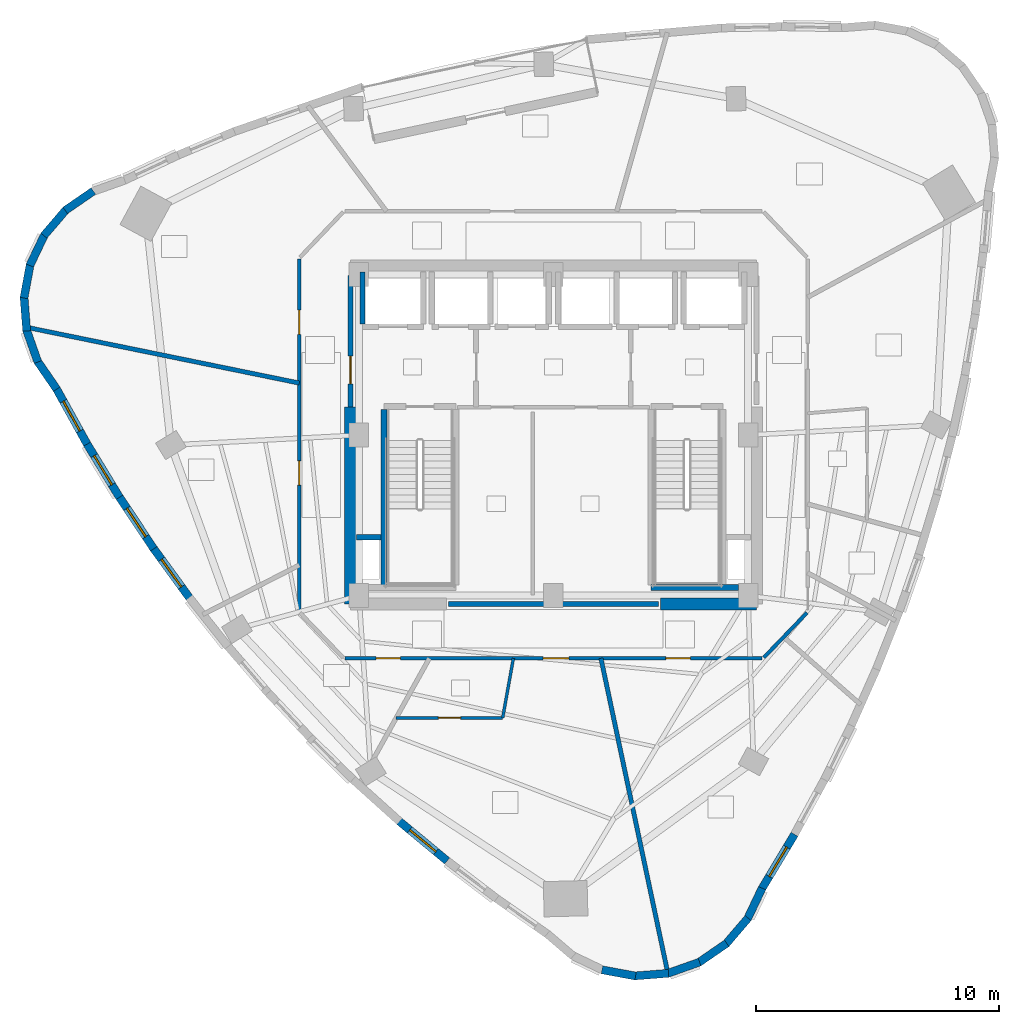
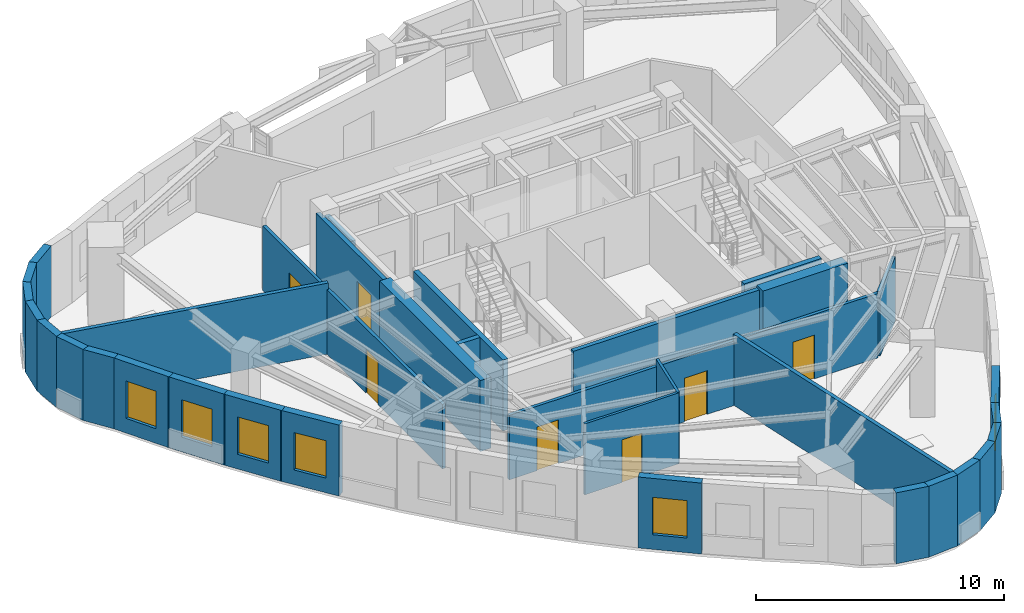
# One storey, part 4 of 10: 34 walls, 7 doors, 6 windows, 13 openings.
"""IFC4 building model written with IfcOpenShell, lengths in metres."""

from ifc_helpers import new_model, si_unit, direction, frame, frame_2d, origin, place, context, subcontext, project, spatial, rectangle, extrude, material, layer, layer_set, type_object, element, fill, save


model = new_model("IFC4")

# Units and contexts
model_context = context("Model", 3, precision=1e-05, world=origin(), true_north=direction((0.0, 1.0)))
body_context = subcontext(model_context, "Body", "Model", "MODEL_VIEW")
ifc_project = project(units=[si_unit("LENGTHUNIT", "METRE"), si_unit("AREAUNIT", "SQUARE_METRE"), si_unit("VOLUMEUNIT", "CUBIC_METRE"), si_unit("PLANEANGLEUNIT", "RADIAN"), si_unit("MASSUNIT", "GRAM", prefix="KILO")], contexts=[model_context])

# Site, building, storey
site_placement = place(None, origin())
site = spatial("IfcSite", under=ifc_project, at=site_placement, CompositionType="ELEMENT")
building_placement = place(site_placement, origin())
building = spatial("IfcBuilding", under=site, at=building_placement, Name="Ndelora Gate Hotel", CompositionType="ELEMENT")
storey_placement = place(building_placement, frame((0.0, 0.0, 251.14990234375)))
storey = spatial("IfcBuildingStorey", under=building, at=storey_placement, Name="L63", CompositionType="ELEMENT", Elevation=251.14990234375)

# Walls
ifc_material_1 = material(Name="Acoustic Double-Stud Gypsum Assembly", Category="gypsum")
ifc_layer_1 = layer(ifc_material_1, 0.179931640625)
ifc_layer_set_1 = layer_set([ifc_layer_1], Name="Acoustic Double-Stud Gypsum Assembly")
wall_type_1 = type_object("IfcWallType", Name="WL-ACOUST-180", PredefinedType="PARTITIONING", material=ifc_layer_set_1)
wall_1_placement = place(storey_placement, frame((-10.449951171875, 2.136962890625, 0.0), z_axis=(0.0, 0.0, 1.0), x_axis=(-0.979726343825, 0.200340438291, 0.0)))
element("IfcWall", 1, at=wall_1_placement, inside=storey, type_object=wall_type_1, Name="L63 Interior Wall IW-3", PredefinedType="PARTITIONING", context=body_context, shape_type="SweptSolid", body=[
    extrude(rectangle(XDim=11.453857421875, YDim=0.179931640625, at=frame_2d((5.72705078125, 0.0))), origin(), (0.0, 0.0, 1.0), 3.489990234375),
])
wall_2_placement = place(storey_placement, frame((1.951416015625, -9.179931640625, 0.0), z_axis=(0.0, 0.0, 1.0), x_axis=(0.20789337158, -0.978151494429, 0.0)))
element("IfcWall", 2, at=wall_2_placement, inside=storey, type_object=wall_type_1, Name="L63 Interior Wall IW-3", PredefinedType="PARTITIONING", context=body_context, shape_type="SweptSolid", body=[
    extrude(rectangle(XDim=13.2431640625, YDim=0.179931640625, at=frame_2d((6.62158203125, 0.0))), origin(), (0.0, 0.0, 1.0), 3.489990234375),
])
ifc_material_2 = material(Name="Clay Brick Masonry", Category="masonry")
ifc_layer_2 = layer(ifc_material_2, 0.330078125)
ifc_layer_set_2 = layer_set([ifc_layer_2], Name="Clay Brick Masonry")
wall_type_2 = type_object("IfcWallType", Name="WL-BRICK-330", PredefinedType="SOLIDWALL", material=ifc_layer_set_2)
wall_3_placement = place(storey_placement, frame((-20.075439453125, 9.23583984375, 0.0), z_axis=(0.0, 0.0, 1.0), x_axis=(0.824122878834, 0.566411052666, 0.0)))
element("IfcWall", 3, at=wall_3_placement, inside=storey, type_object=wall_type_2, Name="L63 Tower Brick Pier-and-Spandrel Wall TWR-2", PredefinedType="SOLIDWALL", context=body_context, shape_type="SweptSolid", body=[
    extrude(rectangle(XDim=1.40771484375, YDim=0.330078125, at=frame_2d((0.703857421875, 0.0))), origin(), (0.0, 0.0, 1.0), 3.489990234375),
])
wall_4_placement = place(storey_placement, frame((-20.95263671875, 8.19873046875, 0.0), z_axis=(0.0, 0.0, 1.0), x_axis=(0.64941898982, 0.760430782952, 0.0)))
element("IfcWall", 4, at=wall_4_placement, inside=storey, type_object=wall_type_2, Name="L63 Tower Brick Pier-and-Spandrel Wall TWR-3", PredefinedType="SOLIDWALL", context=body_context, shape_type="SweptSolid", body=[
    extrude(rectangle(XDim=1.407470703125, YDim=0.330078125, at=frame_2d((0.70361328125, 0.0))), origin(), (0.0, 0.0, 1.0), 3.489990234375),
])
wall_5_placement = place(storey_placement, frame((-21.531494140625, 6.969970703125, 0.0), z_axis=(0.0, 0.0, 1.0), x_axis=(0.43048556818, 0.902597460438, 0.0)))
element("IfcWall", 5, at=wall_5_placement, inside=storey, type_object=wall_type_2, Name="L63 Tower Brick Pier-and-Spandrel Wall TWR-4", PredefinedType="SOLIDWALL", context=body_context, shape_type="SweptSolid", body=[
    extrude(rectangle(XDim=1.40771484375, YDim=0.330078125, at=frame_2d((0.703857421875, 0.0))), origin(), (0.0, 0.0, 1.0), 3.489990234375),
])
for number, where, z_axis, x_axis, name in (
    (6, (-21.772705078125, 5.63330078125, 0.0), (0.0, 0.0, 1.0), (0.182319094132, 0.983239415359, 0.0), "L63 Tower Brick Pier-and-Spandrel Wall TWR-5"),
    (7, (-21.65966796875, 4.279541015625, 0.0), (0.0, 0.0, 1.0), (-0.07857999626, 0.996907811278, 0.0), "L63 Tower Brick Pier-and-Spandrel Wall TWR-6"),
):
    element("IfcWall", number, at=place(storey_placement, frame(where, z_axis=z_axis, x_axis=x_axis)), inside=storey, type_object=wall_type_2, Name=name, PredefinedType="SOLIDWALL", context=body_context, shape_type="SweptSolid", body=[
        extrude(rectangle(XDim=1.407470703125, YDim=0.330078125, at=frame_2d((0.70361328125, 0.0))), origin(), (0.0, 0.0, 1.0), 3.489990234375),
    ])
wall_6_placement = place(storey_placement, frame((-21.2001953125, 3.001220703125, 0.0), z_axis=(0.0, 0.0, 1.0), x_axis=(-0.333709077945, 0.942676111555, 0.0)))
element("IfcWall", 8, at=wall_6_placement, inside=storey, type_object=wall_type_2, Name="L63 Tower Brick Pier-and-Spandrel Wall TWR-7", PredefinedType="SOLIDWALL", context=body_context, shape_type="SweptSolid", body=[
    extrude(rectangle(XDim=1.40771484375, YDim=0.330078125, at=frame_2d((0.703857421875, 0.0))), origin(), (0.0, 0.0, 1.0), 3.489990234375),
])
wall_7_placement = place(storey_placement, frame((-20.42529296875, 1.885498046875, 0.0), z_axis=(0.0, 0.0, 1.0), x_axis=(-0.566492015675, 0.824067227947, 0.0)))
element("IfcWall", 9, at=wall_7_placement, inside=storey, type_object=wall_type_2, Name="L63 Tower Brick Pier-and-Spandrel Wall TWR-8", PredefinedType="SOLIDWALL", context=body_context, shape_type="SweptSolid", body=[
    extrude(rectangle(XDim=1.407470703125, YDim=0.330078125, at=frame_2d((0.70361328125, 0.0))), origin(), (0.0, 0.0, 1.0), 3.489990234375),
])

# Wall, opening, window
wall_8_placement = place(storey_placement, frame((-19.17578125, -0.37353515625, 0.0), z_axis=(0.0, 0.0, 1.0), x_axis=(-0.484847132478, 0.874598912718, 0.0)))
wall_8 = element("IfcWall", 10, at=wall_8_placement, inside=storey, type_object=wall_type_2, Name="L63 Tower Brick Pier-and-Spandrel Wall TWR-9", PredefinedType="SOLIDWALL", context=body_context, shape_type="SweptSolid", body=[
    extrude(rectangle(XDim=2.631591796875, YDim=0.330078125, at=frame_2d((1.31591796875, 0.0))), origin(), (0.0, 0.0, 1.0), 3.489990234375),
])
opening_1_placement = place(wall_8_placement, frame((0.61572265625, 0.0, 0.719970703125)))
opening_1 = element("IfcOpeningElement", 11, at=opening_1_placement, cuts=wall_8, Name="Opening W02", PredefinedType="OPENING", context=body_context, shape_type="SweptSolid", body=[
    extrude(rectangle(XDim=1.39990234375, YDim=1.840087890625, at=frame_2d((0.699951171875, 0.919921875))), frame((0.0, 0.175048828125, 0.0), z_axis=(0.0, -1.0, 0.0), x_axis=(1.0, 0.0, 0.0)), (0.0, 0.0, 1.0), 0.35009765625),
])
ifc_material_3 = material(Name="Insulated Low-E Double Glazing in Bronze Aluminium Frame", Category="aluminium")
window_type = type_object("IfcWindowType", Name="WN-DEEP-1400", PartitioningType="SINGLE_PANEL", PredefinedType="WINDOW", material=ifc_material_3)
window_1_placement = place(opening_1_placement, origin())
window_1 = element("IfcWindow", 12, at=window_1_placement, inside=storey, type_object=window_type, Name="L63 Deep-Set Brick-Pier Window W02", OverallHeight=1.840087890625, OverallWidth=1.39990234375, PartitioningType="SINGLE_PANEL", PredefinedType="WINDOW", context=body_context, shape_type="SweptSolid", body=[
    extrude(rectangle(XDim=1.39990234375, YDim=1.840087890625, at=frame_2d((0.699951171875, 0.919921875))), frame((0.0, 0.030029296875, 0.0), z_axis=(0.0, -1.0, 0.0), x_axis=(1.0, 0.0, 0.0)), (0.0, 0.0, 1.0), 0.06005859375),
])
fill(opening_1, window_1)

wall_9_placement = place(storey_placement, frame((-17.844482421875, -2.560302734375, 0.0), z_axis=(0.0, 0.0, 1.0), x_axis=(-0.519617516632, 0.854398991344, 0.0)))
wall_9 = element("IfcWall", 13, at=wall_9_placement, inside=storey, type_object=wall_type_2, Name="L63 Tower Brick Pier-and-Spandrel Wall TWR-10", PredefinedType="SOLIDWALL", context=body_context, shape_type="SweptSolid", body=[
    extrude(rectangle(XDim=2.610107421875, YDim=0.330078125, at=frame_2d((1.30517578125, 0.0))), origin(), (0.0, 0.0, 1.0), 3.489990234375),
])
opening_2_placement = place(wall_9_placement, frame((0.60498046875, 0.0, 0.719970703125)))
opening_2 = element("IfcOpeningElement", 14, at=opening_2_placement, cuts=wall_9, Name="Opening W02", PredefinedType="OPENING", context=body_context, shape_type="SweptSolid", body=[
    extrude(rectangle(XDim=1.39990234375, YDim=1.840087890625, at=frame_2d((0.699951171875, 0.919921875))), frame((0.0, 0.175048828125, 0.0), z_axis=(0.0, -1.0, 0.0), x_axis=(1.0, 0.0, 0.0)), (0.0, 0.0, 1.0), 0.35009765625),
])
window_2_placement = place(opening_2_placement, origin())
window_2 = element("IfcWindow", 15, at=window_2_placement, inside=storey, type_object=window_type, Name="L63 Deep-Set Brick-Pier Window W02", OverallHeight=1.840087890625, OverallWidth=1.39990234375, PartitioningType="SINGLE_PANEL", PredefinedType="WINDOW", context=body_context, shape_type="SweptSolid", body=[
    extrude(rectangle(XDim=1.39990234375, YDim=1.840087890625, at=frame_2d((0.699951171875, 0.919921875))), frame((0.0, 0.030029296875, 0.0), z_axis=(0.0, -1.0, 0.0), x_axis=(1.0, 0.0, 0.0)), (0.0, 0.0, 1.0), 0.06005859375),
])
fill(opening_2, window_2)

wall_10_placement = place(storey_placement, frame((-16.43505859375, -4.676513671875, 0.0), z_axis=(0.0, 0.0, 1.0), x_axis=(-0.554091569994, 0.832455723784, 0.0)))
wall_10 = element("IfcWall", 16, at=wall_10_placement, inside=storey, type_object=wall_type_2, Name="L63 Tower Brick Pier-and-Spandrel Wall TWR-11", PredefinedType="SOLIDWALL", context=body_context, shape_type="SweptSolid", body=[
    extrude(rectangle(XDim=2.592529296875, YDim=0.330078125, at=frame_2d((1.29638671875, 0.0))), origin(), (0.0, 0.0, 1.0), 3.489990234375),
])
opening_3_placement = place(wall_10_placement, frame((0.59619140625, 0.0, 0.719970703125)))
opening_3 = element("IfcOpeningElement", 17, at=opening_3_placement, cuts=wall_10, Name="Opening W02", PredefinedType="OPENING", context=body_context, shape_type="SweptSolid", body=[
    extrude(rectangle(XDim=1.39990234375, YDim=1.840087890625, at=frame_2d((0.699951171875, 0.919921875))), frame((0.0, 0.175048828125, 0.0), z_axis=(0.0, -1.0, 0.0), x_axis=(1.0, 0.0, 0.0)), (0.0, 0.0, 1.0), 0.35009765625),
])
window_3_placement = place(opening_3_placement, origin())
window_3 = element("IfcWindow", 18, at=window_3_placement, inside=storey, type_object=window_type, Name="L63 Deep-Set Brick-Pier Window W02", OverallHeight=1.840087890625, OverallWidth=1.39990234375, PartitioningType="SINGLE_PANEL", PredefinedType="WINDOW", context=body_context, shape_type="SweptSolid", body=[
    extrude(rectangle(XDim=1.39990234375, YDim=1.840087890625, at=frame_2d((0.699951171875, 0.919921875))), frame((0.0, 0.030029296875, 0.0), z_axis=(0.0, -1.0, 0.0), x_axis=(1.0, 0.0, 0.0)), (0.0, 0.0, 1.0), 0.06005859375),
])
fill(opening_3, window_3)

wall_11_placement = place(storey_placement, frame((-14.947021484375, -6.7216796875, 0.0), z_axis=(0.0, 0.0, 1.0), x_axis=(-0.588014094106, 0.808850681605, 0.0)))
wall_11 = element("IfcWall", 19, at=wall_11_placement, inside=storey, type_object=wall_type_2, Name="L63 Tower Brick Pier-and-Spandrel Wall TWR-12", PredefinedType="SOLIDWALL", context=body_context, shape_type="SweptSolid", body=[
    extrude(rectangle(XDim=2.5791015625, YDim=0.330078125, at=frame_2d((1.28955078125, 0.0))), origin(), (0.0, 0.0, 1.0), 3.489990234375),
])
opening_4_placement = place(wall_11_placement, frame((0.589599609375, 0.0, 0.719970703125)))
opening_4 = element("IfcOpeningElement", 20, at=opening_4_placement, cuts=wall_11, Name="Opening W02", PredefinedType="OPENING", context=body_context, shape_type="SweptSolid", body=[
    extrude(rectangle(XDim=1.39990234375, YDim=1.840087890625, at=frame_2d((0.699951171875, 0.919921875))), frame((0.0, 0.175048828125, 0.0), z_axis=(0.0, -1.0, 0.0), x_axis=(1.0, 0.0, 0.0)), (0.0, 0.0, 1.0), 0.35009765625),
])
window_4_placement = place(opening_4_placement, origin())
window_4 = element("IfcWindow", 21, at=window_4_placement, inside=storey, type_object=window_type, Name="L63 Deep-Set Brick-Pier Window W02", OverallHeight=1.840087890625, OverallWidth=1.39990234375, PartitioningType="SINGLE_PANEL", PredefinedType="WINDOW", context=body_context, shape_type="SweptSolid", body=[
    extrude(rectangle(XDim=1.39990234375, YDim=1.840087890625, at=frame_2d((0.699951171875, 0.919921875))), frame((0.0, 0.030029296875, 0.0), z_axis=(0.0, -1.0, 0.0), x_axis=(1.0, 0.0, 0.0)), (0.0, 0.0, 1.0), 0.06005859375),
])
fill(opening_4, window_4)

wall_12_placement = place(storey_placement, frame((-4.372314453125, -17.510498046875, 0.0), z_axis=(0.0, 0.0, 1.0), x_axis=(-0.770024204251, 0.638014674493, 0.0)))
wall_12 = element("IfcWall", 22, at=wall_12_placement, inside=storey, type_object=wall_type_2, Name="L63 Tower Brick Pier-and-Spandrel Wall TWR-18", PredefinedType="SOLIDWALL", context=body_context, shape_type="SweptSolid", body=[
    extrude(rectangle(XDim=2.5927734375, YDim=0.330078125, at=frame_2d((1.29638671875, 0.0))), origin(), (0.0, 0.0, 1.0), 3.489990234375),
])
opening_5_placement = place(wall_12_placement, frame((0.59619140625, 0.0, 0.719970703125)))
opening_5 = element("IfcOpeningElement", 23, at=opening_5_placement, cuts=wall_12, Name="Opening W02", PredefinedType="OPENING", context=body_context, shape_type="SweptSolid", body=[
    extrude(rectangle(XDim=1.39990234375, YDim=1.840087890625, at=frame_2d((0.699951171875, 0.919921875))), frame((0.0, 0.175048828125, 0.0), z_axis=(0.0, -1.0, 0.0), x_axis=(1.0, 0.0, 0.0)), (0.0, 0.0, 1.0), 0.35009765625),
])
window_5_placement = place(opening_5_placement, origin())
window_5 = element("IfcWindow", 24, at=window_5_placement, inside=storey, type_object=window_type, Name="L63 Deep-Set Brick-Pier Window W02", OverallHeight=1.840087890625, OverallWidth=1.39990234375, PartitioningType="SINGLE_PANEL", PredefinedType="WINDOW", context=body_context, shape_type="SweptSolid", body=[
    extrude(rectangle(XDim=1.39990234375, YDim=1.840087890625, at=frame_2d((0.699951171875, 0.919921875))), frame((0.0, 0.030029296875, 0.0), z_axis=(0.0, -1.0, 0.0), x_axis=(1.0, 0.0, 0.0)), (0.0, 0.0, 1.0), 0.06005859375),
])
fill(opening_5, window_5)

# Walls
for number, where, z_axis, x_axis, name in (
    (25, (3.3759765625, -22.244873046875, 0.0), (0.0, 0.0, 1.0), (-0.983239415359, 0.182319094132, 0.0), "L63 Tower Brick Pier-and-Spandrel Wall TWR-23"),
    (26, (4.7294921875, -22.1318359375, 0.0), (0.0, 0.0, 1.0), (-0.996921385347, -0.078407598082, 0.0), "L63 Tower Brick Pier-and-Spandrel Wall TWR-24"),
    (27, (6.0078125, -21.67236328125, 0.0), (0.0, 0.0, 1.0), (-0.942656791627, -0.33376364871, 0.0), "L63 Tower Brick Pier-and-Spandrel Wall TWR-25"),
    (28, (7.12353515625, -20.897705078125, 0.0), (0.0, 0.0, 1.0), (-0.824148199331, -0.566374209812, 0.0), "L63 Tower Brick Pier-and-Spandrel Wall TWR-26"),
    (29, (8.000732421875, -19.860595703125, 0.0), (0.0, 0.0, 1.0), (-0.649318671118, -0.760516445146, 0.0), "L63 Tower Brick Pier-and-Spandrel Wall TWR-27"),
):
    element("IfcWall", number, at=place(storey_placement, frame(where, z_axis=z_axis, x_axis=x_axis)), inside=storey, type_object=wall_type_2, Name=name, PredefinedType="SOLIDWALL", context=body_context, shape_type="SweptSolid", body=[
        extrude(rectangle(XDim=1.407470703125, YDim=0.330078125, at=frame_2d((0.70361328125, 0.0))), origin(), (0.0, 0.0, 1.0), 3.489990234375),
    ])
wall_13_placement = place(storey_placement, frame((8.579833984375, -18.631591796875, 0.0), z_axis=(0.0, 0.0, 1.0), x_axis=(-0.43048556818, -0.902597460438, 0.0)))
element("IfcWall", 30, at=wall_13_placement, inside=storey, type_object=wall_type_2, Name="L63 Tower Brick Pier-and-Spandrel Wall TWR-28", PredefinedType="SOLIDWALL", context=body_context, shape_type="SweptSolid", body=[
    extrude(rectangle(XDim=1.40771484375, YDim=0.330078125, at=frame_2d((0.703857421875, 0.0))), origin(), (0.0, 0.0, 1.0), 3.489990234375),
])

# Wall, opening, window
wall_14_placement = place(storey_placement, frame((9.911376953125, -16.419921875, 0.0), z_axis=(0.0, 0.0, 1.0), x_axis=(-0.514973174708, -0.857206293334, 0.0)))
wall_14 = element("IfcWall", 31, at=wall_14_placement, inside=storey, type_object=wall_type_2, Name="L63 Tower Brick Pier-and-Spandrel Wall TWR-29", PredefinedType="SOLIDWALL", context=body_context, shape_type="SweptSolid", body=[
    extrude(rectangle(XDim=2.631591796875, YDim=0.330078125, at=frame_2d((1.31591796875, 0.0))), origin(), (0.0, 0.0, 1.0), 3.489990234375),
])
opening_6_placement = place(wall_14_placement, frame((0.61572265625, 0.0, 0.719970703125)))
opening_6 = element("IfcOpeningElement", 32, at=opening_6_placement, cuts=wall_14, Name="Opening W02", PredefinedType="OPENING", context=body_context, shape_type="SweptSolid", body=[
    extrude(rectangle(XDim=1.39990234375, YDim=1.840087890625, at=frame_2d((0.699951171875, 0.919921875))), frame((0.0, 0.175048828125, 0.0), z_axis=(0.0, -1.0, 0.0), x_axis=(1.0, 0.0, 0.0)), (0.0, 0.0, 1.0), 0.35009765625),
])
window_6_placement = place(opening_6_placement, origin())
window_6 = element("IfcWindow", 33, at=window_6_placement, inside=storey, type_object=window_type, Name="L63 Deep-Set Brick-Pier Window W02", OverallHeight=1.840087890625, OverallWidth=1.39990234375, PartitioningType="SINGLE_PANEL", PredefinedType="WINDOW", context=body_context, shape_type="SweptSolid", body=[
    extrude(rectangle(XDim=1.39990234375, YDim=1.840087890625, at=frame_2d((0.699951171875, 0.919921875))), frame((0.0, 0.030029296875, 0.0), z_axis=(0.0, -1.0, 0.0), x_axis=(1.0, 0.0, 0.0)), (0.0, 0.0, 1.0), 0.06005859375),
])
fill(opening_6, window_6)

# Walls
ifc_material_4 = material(Name="Concrete C50/60", Category="concrete")
ifc_layer_3 = layer(ifc_material_4, 0.5)
ifc_layer_set_3 = layer_set([ifc_layer_3], Name="Concrete C50/60")
wall_type_3 = type_object("IfcWallType", Name="WL-CORE-500", PredefinedType="SHEAR", material=ifc_layer_set_3)
wall_15_placement = place(storey_placement, frame((4.39990234375, -6.949951171875, 0.0), z_axis=(0.0, 0.0, 1.0), x_axis=(1.0, 0.0, 0.0)))
element("IfcWall", 34, at=wall_15_placement, inside=storey, type_object=wall_type_3, Name="L63 Core Shear Wall S-E", PredefinedType="SHEAR", context=body_context, shape_type="SweptSolid", body=[
    extrude(rectangle(XDim=3.9501953125, YDim=0.5, at=frame_2d((1.97509765625, 0.0))), origin(), (0.0, 0.0, 1.0), 3.489990234375),
])
wall_16_placement = place(storey_placement, frame((-8.35009765625, -6.949951171875, 0.0), z_axis=(0.0, 0.0, 1.0), x_axis=(0.0, 1.0, 0.0)))
element("IfcWall", 35, at=wall_16_placement, inside=storey, type_object=wall_type_3, Name="L63 Core Shear Wall W", PredefinedType="SHEAR", context=body_context, shape_type="SweptSolid", body=[
    extrude(rectangle(XDim=8.099853515625, YDim=0.5, at=frame_2d((4.0498046875, 0.0))), origin(), (0.0, 0.0, 1.0), 3.489990234375),
])

# Wall, opening, door
ifc_material_5 = material(Name="Concrete C40/50", Category="concrete")
ifc_layer_4 = layer(ifc_material_5, 0.199951171875)
ifc_layer_set_4 = layer_set([ifc_layer_4], Name="Concrete C40/50")
wall_type_4 = type_object("IfcWallType", Name="WL-FIRE-200", PredefinedType="PARTITIONING", material=ifc_layer_set_4)
wall_17_placement = place(storey_placement, frame((-8.35009765625, 1.14990234375, 0.0), z_axis=(0.0, 0.0, 1.0), x_axis=(0.0, 1.0, 0.0)))
wall_17 = element("IfcWall", 36, at=wall_17_placement, inside=storey, type_object=wall_type_4, Name="L63 Interior Wall IW-2", PredefinedType="PARTITIONING", context=body_context, shape_type="SweptSolid", body=[
    extrude(rectangle(XDim=5.400146484375, YDim=0.199951171875, at=frame_2d((2.7001953125, 0.0))), origin(), (0.0, 0.0, 1.0), 3.489990234375),
])
opening_7_placement = place(wall_17_placement, frame((0.949951171875, 0.0, 0.0)))
opening_7 = element("IfcOpeningElement", 37, at=opening_7_placement, cuts=wall_17, Name="Opening FD1", PredefinedType="OPENING", context=body_context, shape_type="SweptSolid", body=[
    extrude(rectangle(XDim=1.14990234375, YDim=2.14990234375, at=frame_2d((0.574951171875, 1.074951171875))), frame((0.0, 0.10986328125, 0.0), z_axis=(0.0, -1.0, 0.0), x_axis=(1.0, 0.0, 0.0)), (0.0, 0.0, 1.0), 0.219970703125),
])
ifc_material_6 = material(Name="Fire-Rated Timber-Veneer Steel Core", Category="steel")
door_type_1 = type_object("IfcDoorType", Name="DR-FD60", OperationType="SINGLE_SWING_LEFT", PredefinedType="DOOR", material=ifc_material_6)
door_1_placement = place(opening_7_placement, origin())
door_1 = element("IfcDoor", 38, at=door_1_placement, inside=storey, type_object=door_type_1, Name="L63 Firefighting Lobby West Corridor Door", OperationType="SINGLE_SWING_LEFT", OverallHeight=2.14990234375, OverallWidth=1.14990234375, PredefinedType="DOOR", context=body_context, shape_type="SweptSolid", body=[
    extrude(rectangle(XDim=1.14990234375, YDim=2.14990234375, at=frame_2d((0.574951171875, 1.074951171875))), frame((0.0, 0.02490234375, 0.0), z_axis=(0.0, -1.0, 0.0), x_axis=(1.0, 0.0, 0.0)), (0.0, 0.0, 1.0), 0.050048828125),
])
fill(opening_7, door_1)

# Wall
wall_18_placement = place(storey_placement, frame((-4.320068359375, -6.949951171875, 0.0), z_axis=(0.0, 0.0, 1.0), x_axis=(1.0, 0.0, 0.0)))
element("IfcWall", 39, at=wall_18_placement, inside=storey, type_object=wall_type_4, Name="L63 Interior Wall IW-2", PredefinedType="PARTITIONING", context=body_context, shape_type="SweptSolid", body=[
    extrude(rectangle(XDim=8.64013671875, YDim=0.199951171875, at=frame_2d((4.320068359375, 0.0))), origin(), (0.0, 0.0, 1.0), 3.489990234375),
])

# Wall, openings, doors
ifc_material_7 = material(Name="Fire-Rated Gypsum Stud Partition", Category="gypsum")
ifc_layer_5 = layer(ifc_material_7, 0.14990234375)
ifc_layer_set_5 = layer_set([ifc_layer_5], Name="Fire-Rated Gypsum Stud Partition")
wall_type_5 = type_object("IfcWallType", Name="WL-PART-150", PredefinedType="PARTITIONING", material=ifc_layer_set_5)
wall_19_placement = place(storey_placement, frame((8.580078125, -9.179931640625, 0.0), z_axis=(0.0, 0.0, 1.0), x_axis=(-1.0, 0.0, 0.0)))
wall_19 = element("IfcWall", 40, at=wall_19_placement, inside=storey, type_object=wall_type_5, Name="L63 Interior Wall IW-5", PredefinedType="PARTITIONING", context=body_context, shape_type="SweptSolid", body=[
    extrude(rectangle(XDim=17.16015625, YDim=0.14990234375, at=frame_2d((8.580078125, 0.0))), origin(), (0.0, 0.0, 1.0), 3.170166015625),
])
opening_8_placement = place(wall_19_placement, frame((14.8720703125, 0.0, 0.0)))
opening_8 = element("IfcOpeningElement", 41, at=opening_8_placement, cuts=wall_19, Name="Opening D01", PredefinedType="OPENING", context=body_context, shape_type="SweptSolid", body=[
    extrude(rectangle(XDim=1.0, YDim=2.14990234375, at=frame_2d((0.5, 1.074951171875))), frame((0.0, 0.0849609375, 0.0), z_axis=(0.0, -1.0, 0.0), x_axis=(1.0, 0.0, 0.0)), (0.0, 0.0, 1.0), 0.169921875),
])
opening_9_placement = place(wall_19_placement, frame((2.954345703125, 0.0, 0.0)))
opening_9 = element("IfcOpeningElement", 42, at=opening_9_placement, cuts=wall_19, Name="Opening D01", PredefinedType="OPENING", context=body_context, shape_type="SweptSolid", body=[
    extrude(rectangle(XDim=1.0, YDim=2.14990234375, at=frame_2d((0.5, 1.074951171875))), frame((0.0, 0.0849609375, 0.0), z_axis=(0.0, -1.0, 0.0), x_axis=(1.0, 0.0, 0.0)), (0.0, 0.0, 1.0), 0.169921875),
])
opening_10_placement = place(wall_19_placement, frame((7.947509765625, 0.0, 0.0)))
opening_10 = element("IfcOpeningElement", 43, at=opening_10_placement, cuts=wall_19, Name="Opening D07", PredefinedType="OPENING", context=body_context, shape_type="SweptSolid", body=[
    extrude(rectangle(XDim=1.06005859375, YDim=2.14990234375, at=frame_2d((0.530029296875, 1.074951171875))), frame((0.0, 0.0849609375, 0.0), z_axis=(0.0, -1.0, 0.0), x_axis=(1.0, 0.0, 0.0)), (0.0, 0.0, 1.0), 0.169921875),
])
ifc_material_8 = material(Name="Acoustic Hardwood Guest Entrance Door", Category="wood")
door_type_2 = type_object("IfcDoorType", Name="DR-COR-1000", OperationType="SINGLE_SWING_LEFT", PredefinedType="DOOR", material=ifc_material_8)
door_2_placement = place(opening_8_placement, origin())
door_2 = element("IfcDoor", 44, at=door_2_placement, inside=storey, type_object=door_type_2, Name="L63 Private Chef Kitchen Entrance Door", OperationType="SINGLE_SWING_RIGHT", OverallHeight=2.14990234375, OverallWidth=1.0, PredefinedType="DOOR", context=body_context, shape_type="SweptSolid", body=[
    extrude(rectangle(XDim=1.0, YDim=2.14990234375, at=frame_2d((0.5, 1.074951171875))), frame((0.0, 0.02490234375, 0.0), z_axis=(0.0, -1.0, 0.0), x_axis=(1.0, 0.0, 0.0)), (0.0, 0.0, 1.0), 0.050048828125),
])
fill(opening_8, door_2)
door_3_placement = place(opening_9_placement, origin())
door_3 = element("IfcDoor", 45, at=door_3_placement, inside=storey, type_object=door_type_2, Name="L63 Protocol Study Office Entrance Door", OperationType="SINGLE_SWING_RIGHT", OverallHeight=2.14990234375, OverallWidth=1.0, PredefinedType="DOOR", context=body_context, shape_type="SweptSolid", body=[
    extrude(rectangle(XDim=1.0, YDim=2.14990234375, at=frame_2d((0.5, 1.074951171875))), frame((0.0, 0.02490234375, 0.0), z_axis=(0.0, -1.0, 0.0), x_axis=(1.0, 0.0, 0.0)), (0.0, 0.0, 1.0), 0.050048828125),
])
fill(opening_9, door_3)
ifc_material_9 = material(Name="Diplomatic Suite Acoustic Entrance Door", Category="wood")
door_type_3 = type_object("IfcDoorType", Name="DR-SUITE-1060", OperationType="SINGLE_SWING_LEFT", PredefinedType="DOOR", material=ifc_material_9)
door_4_placement = place(opening_10_placement, origin())
door_4 = element("IfcDoor", 46, at=door_4_placement, inside=storey, type_object=door_type_3, Name="L63 Ambassador Retinue Suite 6602 Entrance Door", OperationType="SINGLE_SWING_LEFT", OverallHeight=2.14990234375, OverallWidth=1.06005859375, PredefinedType="DOOR", context=body_context, shape_type="SweptSolid", body=[
    extrude(rectangle(XDim=1.06005859375, YDim=2.14990234375, at=frame_2d((0.530029296875, 1.074951171875))), frame((0.0, 0.02490234375, 0.0), z_axis=(0.0, -1.0, 0.0), x_axis=(1.0, 0.0, 0.0)), (0.0, 0.0, 1.0), 0.050048828125),
])
fill(opening_10, door_4)

# Wall
wall_20_placement = place(storey_placement, frame((10.42236328125, -7.308837890625, 0.0), z_axis=(0.0, 0.0, 1.0), x_axis=(-0.693764562202, -0.720201869085, 0.0)))
element("IfcWall", 47, at=wall_20_placement, inside=storey, type_object=wall_type_5, Name="L63 Interior Wall IW-5", PredefinedType="PARTITIONING", context=body_context, shape_type="SweptSolid", body=[
    extrude(rectangle(XDim=2.55810546875, YDim=0.14990234375, at=frame_2d((1.279052734375, 0.0))), origin(), (0.0, 0.0, 1.0), 3.170166015625),
])

# Wall, openings, doors
wall_21_placement = place(storey_placement, frame((-10.449951171875, -7.239990234375, 0.0), z_axis=(0.0, 0.0, 1.0), x_axis=(0.0, 1.0, 0.0)))
wall_21 = element("IfcWall", 48, at=wall_21_placement, inside=storey, type_object=wall_type_5, Name="L63 Interior Wall IW-5", PredefinedType="PARTITIONING", context=body_context, shape_type="SweptSolid", body=[
    extrude(rectangle(XDim=14.47998046875, YDim=0.14990234375, at=frame_2d((7.239990234375, 0.0))), origin(), (0.0, 0.0, 1.0), 3.170166015625),
])
opening_11_placement = place(wall_21_placement, frame((5.176513671875, 0.0, 0.0)))
opening_11 = element("IfcOpeningElement", 49, at=opening_11_placement, cuts=wall_21, Name="Opening D01", PredefinedType="OPENING", context=body_context, shape_type="SweptSolid", body=[
    extrude(rectangle(XDim=1.0, YDim=2.14990234375, at=frame_2d((0.5, 1.074951171875))), frame((0.0, 0.0849609375, 0.0), z_axis=(0.0, -1.0, 0.0), x_axis=(1.0, 0.0, 0.0)), (0.0, 0.0, 1.0), 0.169921875),
])
opening_12_placement = place(wall_21_placement, frame((11.37841796875, 0.0, 0.0)))
opening_12 = element("IfcOpeningElement", 50, at=opening_12_placement, cuts=wall_21, Name="Opening D01", PredefinedType="OPENING", context=body_context, shape_type="SweptSolid", body=[
    extrude(rectangle(XDim=1.0, YDim=2.14990234375, at=frame_2d((0.5, 1.074951171875))), frame((0.0, 0.0849609375, 0.0), z_axis=(0.0, -1.0, 0.0), x_axis=(1.0, 0.0, 0.0)), (0.0, 0.0, 1.0), 0.169921875),
])
door_5_placement = place(opening_11_placement, origin())
door_5 = element("IfcDoor", 51, at=door_5_placement, inside=storey, type_object=door_type_2, Name="L63 Royal Retinue Conference Room Entrance Door", OperationType="SINGLE_SWING_LEFT", OverallHeight=2.14990234375, OverallWidth=1.0, PredefinedType="DOOR", context=body_context, shape_type="SweptSolid", body=[
    extrude(rectangle(XDim=1.0, YDim=2.14990234375, at=frame_2d((0.5, 1.074951171875))), frame((0.0, 0.02490234375, 0.0), z_axis=(0.0, -1.0, 0.0), x_axis=(1.0, 0.0, 0.0)), (0.0, 0.0, 1.0), 0.050048828125),
])
fill(opening_11, door_5)
door_6_placement = place(opening_12_placement, origin())
door_6 = element("IfcDoor", 52, at=door_6_placement, inside=storey, type_object=door_type_2, Name="L63 Diplomatic Security Office Entrance Door", OperationType="SINGLE_SWING_RIGHT", OverallHeight=2.14990234375, OverallWidth=1.0, PredefinedType="DOOR", context=body_context, shape_type="SweptSolid", body=[
    extrude(rectangle(XDim=1.0, YDim=2.14990234375, at=frame_2d((0.5, 1.074951171875))), frame((0.0, 0.02490234375, 0.0), z_axis=(0.0, -1.0, 0.0), x_axis=(1.0, 0.0, 0.0)), (0.0, 0.0, 1.0), 0.050048828125),
])
fill(opening_12, door_6)

# Walls
ifc_layer_6 = layer(ifc_material_5, 0.219970703125)
ifc_layer_set_6 = layer_set([ifc_layer_6], Name="Concrete C40/50")
wall_type_6 = type_object("IfcWallType", Name="WL-SHAFT-220", PredefinedType="PARTITIONING", material=ifc_layer_set_6)
wall_22_placement = place(storey_placement, frame((-8.10009765625, -4.199951171875, 0.0), z_axis=(0.0, 0.0, 1.0), x_axis=(1.0, 0.0, 0.0)))
element("IfcWall", 53, at=wall_22_placement, inside=storey, type_object=wall_type_6, Name="L63 Interior Wall IW-1", PredefinedType="PARTITIONING", context=body_context, shape_type="SweptSolid", body=[
    extrude(rectangle(XDim=1.010009765625, YDim=0.219970703125, at=frame_2d((0.5048828125, 0.0))), origin(), (0.0, 0.0, 1.0), 3.489990234375),
])
wall_23_placement = place(storey_placement, frame((-7.85009765625, 4.570068359375, 0.0), z_axis=(0.0, 0.0, 1.0), x_axis=(0.0, 1.0, 0.0)))
element("IfcWall", 54, at=wall_23_placement, inside=storey, type_object=wall_type_6, Name="L63 Interior Wall IW-1", PredefinedType="PARTITIONING", context=body_context, shape_type="SweptSolid", body=[
    extrude(rectangle(XDim=2.1298828125, YDim=0.219970703125, at=frame_2d((1.06494140625, 0.0))), origin(), (0.0, 0.0, 1.0), 3.1201171875),
])
ifc_layer_7 = layer(ifc_material_4, 0.239990234375)
ifc_layer_set_7 = layer_set([ifc_layer_7], Name="Concrete C50/60")
wall_type_7 = type_object("IfcWallType", Name="WL-STAIR-240", PredefinedType="SHEAR", material=ifc_layer_set_7)
wall_24_placement = place(storey_placement, frame((-6.969970703125, -6.159912109375, 0.0), z_axis=(0.0, 0.0, 1.0), x_axis=(0.0, 1.0, 0.0)))
element("IfcWall", 55, at=wall_24_placement, inside=storey, type_object=wall_type_7, Name="L63 Stair Core Shear Wall SW-ST", PredefinedType="SHEAR", context=body_context, shape_type="SweptSolid", body=[
    extrude(rectangle(XDim=7.219970703125, YDim=0.239990234375, at=frame_2d((3.60986328125, 0.0))), origin(), (0.0, 0.0, 1.0), 3.489990234375),
])
wall_25_placement = place(storey_placement, frame((4.010009765625, -6.27001953125, 0.0), z_axis=(0.0, 0.0, 1.0), x_axis=(1.0, 0.0, 0.0)))
element("IfcWall", 56, at=wall_25_placement, inside=storey, type_object=wall_type_7, Name="L63 Stair Core Shear Wall SW-ST", PredefinedType="SHEAR", context=body_context, shape_type="SweptSolid", body=[
    extrude(rectangle(XDim=3.590087890625, YDim=0.239990234375, at=frame_2d((1.794921875, 0.0))), origin(), (0.0, 0.0, 1.0), 3.489990234375),
])
ifc_material_10 = material(Name="Moisture-Resistant Bathroom Tile Partition", Category="gypsum")
ifc_layer_8 = layer(ifc_material_10, 0.1201171875)
ifc_layer_set_8 = layer_set([ifc_layer_8], Name="Moisture-Resistant Bathroom Tile Partition")
wall_type_8 = type_object("IfcWallType", Name="WL-WET-120", PredefinedType="PARTITIONING", material=ifc_layer_set_8)
wall_26_placement = place(storey_placement, frame((-1.6484375, -9.179931640625, 0.0), z_axis=(0.0, 0.0, 1.0), x_axis=(-0.176744464774, -0.984256772479, 0.0)))
element("IfcWall", 57, at=wall_26_placement, inside=storey, type_object=wall_type_8, Name="L63 Interior Wall IW-7", PredefinedType="PARTITIONING", context=body_context, shape_type="SweptSolid", body=[
    extrude(rectangle(XDim=2.4892578125, YDim=0.1201171875, at=frame_2d((1.24462890625, 0.0))), origin(), (0.0, 0.0, 1.0), 3.489990234375),
])

# Wall, opening, door
wall_27_placement = place(storey_placement, frame((-2.08837890625, -11.6298828125, 0.0), z_axis=(0.0, 0.0, 1.0), x_axis=(-1.0, 0.0, 0.0)))
wall_27 = element("IfcWall", 58, at=wall_27_placement, inside=storey, type_object=wall_type_8, Name="L63 Interior Wall IW-7", PredefinedType="PARTITIONING", context=body_context, shape_type="SweptSolid", body=[
    extrude(rectangle(XDim=4.3779296875, YDim=0.1201171875, at=frame_2d((2.18896484375, 0.0))), origin(), (0.0, 0.0, 1.0), 3.489990234375),
])
opening_13_placement = place(wall_27_placement, frame((1.72900390625, 0.0, 0.0)))
opening_13 = element("IfcOpeningElement", 59, at=opening_13_placement, cuts=wall_27, Name="Opening D03", PredefinedType="OPENING", context=body_context, shape_type="SweptSolid", body=[
    extrude(rectangle(XDim=0.919921875, YDim=2.10009765625, at=frame_2d((0.4599609375, 1.050048828125))), frame((0.0, 0.070068359375, 0.0), z_axis=(0.0, -1.0, 0.0), x_axis=(1.0, 0.0, 0.0)), (0.0, 0.0, 1.0), 0.14013671875),
])
ifc_material_11 = material(Name="Moisture-Resistant Hardwood En-Suite Door", Category="wood")
door_type_4 = type_object("IfcDoorType", Name="DR-BATH-920", OperationType="SINGLE_SWING_LEFT", PredefinedType="DOOR", material=ifc_material_11)
door_7_placement = place(opening_13_placement, origin())
door_7 = element("IfcDoor", 60, at=door_7_placement, inside=storey, type_object=door_type_4, Name="L63 En-suite Bathroom 6602 Door", OperationType="SINGLE_SWING_LEFT", OverallHeight=2.10009765625, OverallWidth=0.919921875, PredefinedType="DOOR", context=body_context, shape_type="SweptSolid", body=[
    extrude(rectangle(XDim=0.919921875, YDim=2.10009765625, at=frame_2d((0.4599609375, 1.050048828125))), frame((0.0, 0.02490234375, 0.0), z_axis=(0.0, -1.0, 0.0), x_axis=(1.0, 0.0, 0.0)), (0.0, 0.0, 1.0), 0.050048828125),
])
fill(opening_13, door_7)

save(model, "model.ifc")
